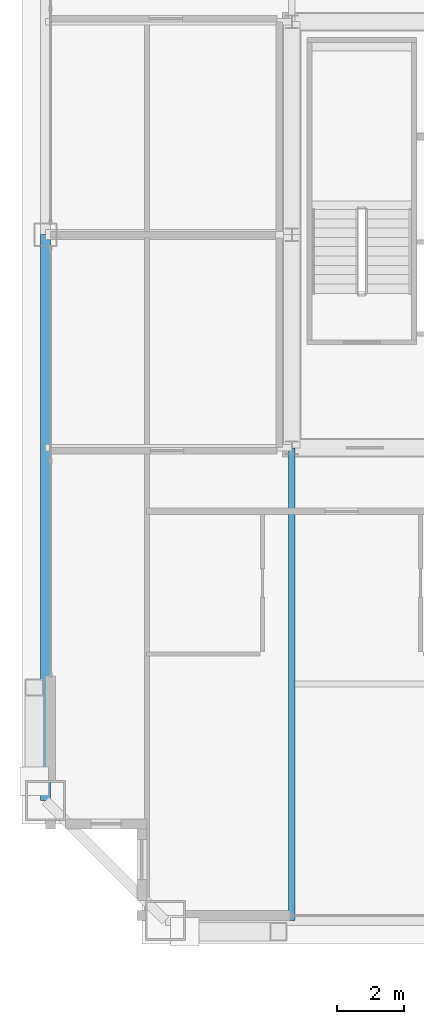
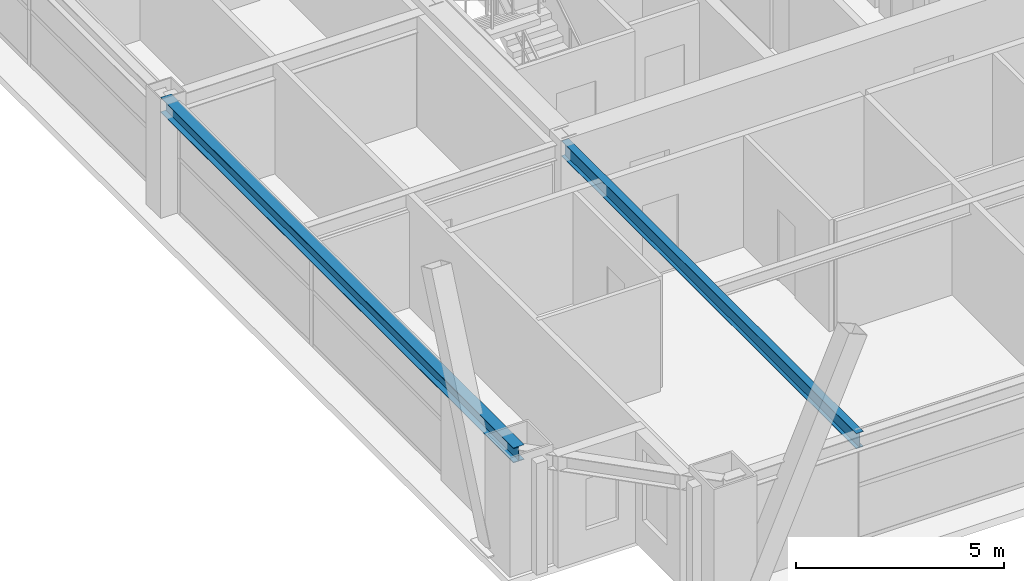
# One storey, part 6 of 34: 2 beams.
"""IFC4 building model written with IfcOpenShell, lengths in metres."""

from ifc_helpers import new_model, si_unit, direction, frame, origin, origin_2d, place, context, subcontext, project, spatial, i_section, extrude, source, transform, mapped, material, material_profile, profile_set, type_object, element, save


model = new_model("IFC4")

# Units and contexts
model_context = context("Model", 3, precision=1e-05, world=origin(), true_north=direction((0.0, 1.0)))
body_context = subcontext(model_context, "Body", "Model", "MODEL_VIEW")
ifc_project = project(units=[si_unit("LENGTHUNIT", "METRE"), si_unit("AREAUNIT", "SQUARE_METRE"), si_unit("VOLUMEUNIT", "CUBIC_METRE"), si_unit("PLANEANGLEUNIT", "RADIAN"), si_unit("MASSUNIT", "GRAM", prefix="KILO"), si_unit("THERMODYNAMICTEMPERATUREUNIT", "KELVIN"), si_unit("POWERUNIT", "WATT")], contexts=[model_context])

# Site, building, storey
site_placement = place(None, origin())
site = spatial("IfcSite", under=ifc_project, at=site_placement, CompositionType="ELEMENT")
building_placement = place(site_placement, origin())
building = spatial("IfcBuilding", under=site, at=building_placement, Name="Yuzanri Waterfront Tower", CompositionType="ELEMENT")
storey_placement = place(building_placement, frame((0.0, 0.0, 241.60009765625)))
storey = spatial("IfcBuildingStorey", under=building, at=storey_placement, Name="L64", CompositionType="ELEMENT", Elevation=241.60009765625)

# Beams
ifc_material_1 = material(Name="Steel Q355B", Category="steel")
ifc_material_profile_1 = material_profile(ifc_material_1, i_section(OverallWidth=0.300048828125, OverallDepth=0.43994140625, WebThickness=0.010986328125, FlangeThickness=0.01806640625, at=origin_2d()), Name="HM 440x300x11x18")
ifc_profile_set_1 = profile_set([ifc_material_profile_1], Name="Steel Q355B")
beam_type_1 = type_object("IfcBeamType", Name="Perimeter Spandrel Q355B HM 440x300", PredefinedType="SPANDREL", material=ifc_profile_set_1)
shared_shape_1 = source(origin(), body_context, "Body", "SweptSolid", [
    extrude(i_section(OverallWidth=0.300048828125, OverallDepth=0.43994140625, WebThickness=0.010986328125, FlangeThickness=0.01806640625, at=origin_2d()), origin(), (0.0, 0.0, 1.0), 17.0),
])
beam_1_placement = place(storey_placement, frame((16.39990234375, 25.800048828125, 3.059814453125), z_axis=(0.0, -1.0, 0.0), x_axis=(1.0, 0.0, 0.0)))
element("IfcBeam", 1, at=beam_1_placement, inside=storey, type_object=beam_type_1, Name="L64 Perimeter Spandrel W2-W1", PredefinedType="SPANDREL", context=body_context, shape_type="MappedRepresentation", body=[
    mapped(shared_shape_1, transform((0.0, 0.0, 0.0), scale=1.0)),
])
ifc_material_2 = material(Name="Steel Q355B", Category="steel")
ifc_material_profile_2 = material_profile(ifc_material_2, i_section(OverallWidth=0.199951171875, OverallDepth=0.449951171875, WebThickness=0.009033203125, FlangeThickness=0.013916015625, at=origin_2d()), Name="HN 450x200x9x14")
ifc_profile_set_2 = profile_set([ifc_material_profile_2], Name="Steel Q355B")
beam_type_2 = type_object("IfcBeamType", Name="Secondary Floor Beam Q355B HN 450x200", PredefinedType="BEAM", material=ifc_profile_set_2)
shared_shape_2 = source(origin(), body_context, "Body", "SweptSolid", [
    extrude(i_section(OverallWidth=0.199951171875, OverallDepth=0.449951171875, WebThickness=0.009033203125, FlangeThickness=0.013916015625, at=origin_2d()), origin(), (0.0, 0.0, 1.0), 14.199951171875),
])
beam_2_placement = place(storey_placement, frame((23.800048828125, 19.39990234375, 3.054931640625), z_axis=(0.0, -1.0, 0.0), x_axis=(1.0, 0.0, 0.0)))
element("IfcBeam", 2, at=beam_2_placement, inside=storey, type_object=beam_type_2, Name="L64 South-West Core Line Beam", PredefinedType="BEAM", context=body_context, shape_type="MappedRepresentation", body=[
    mapped(shared_shape_2, transform((0.0, 0.0, 0.0), scale=1.0)),
])

save(model, "model.ifc")
